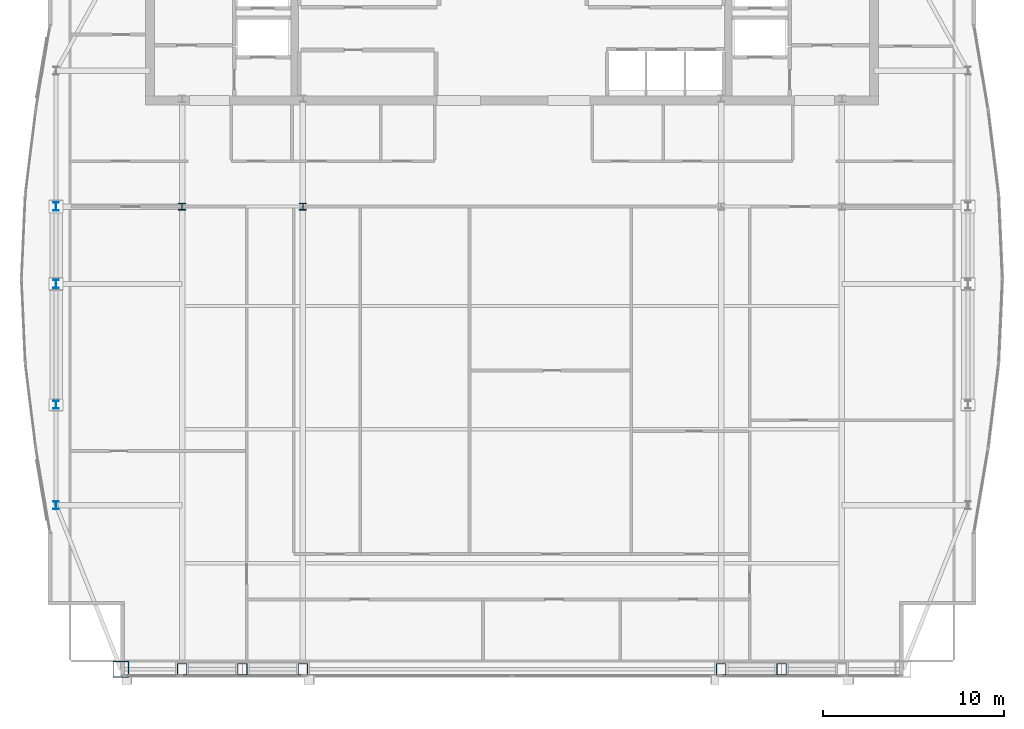
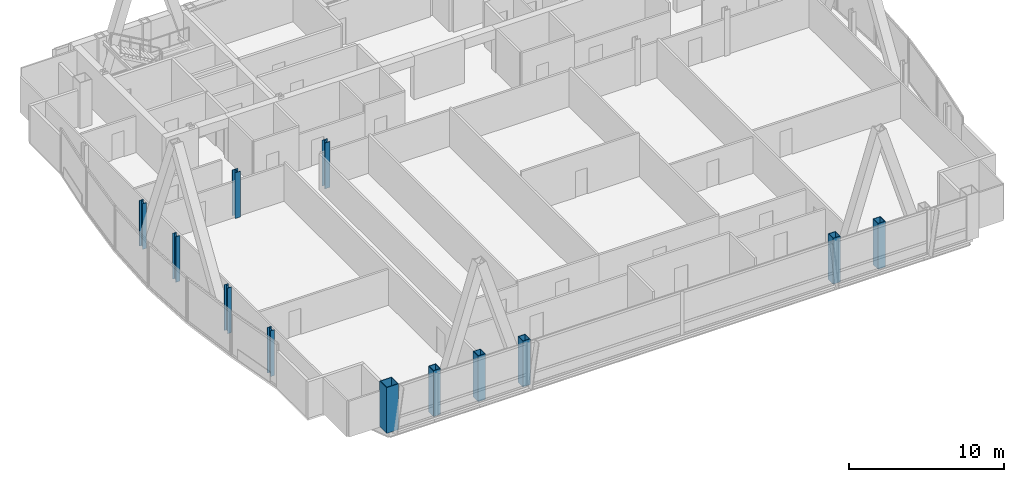
# One storey, part 1 of 29: 12 columns.
"""IFC4 building model written with IfcOpenShell, lengths in metres."""

from ifc_helpers import new_model, si_unit, direction, frame, origin, origin_2d, place, context, subcontext, project, spatial, hollow_rectangle, i_section, extrude, material, material_profile, profile_set, type_object, element, save


model = new_model("IFC4")

# Units and contexts
model_context = context("Model", 3, precision=1e-05, world=origin(), true_north=direction((0.0, 1.0)))
body_context = subcontext(model_context, "Body", "Model", "MODEL_VIEW")
ifc_project = project(units=[si_unit("LENGTHUNIT", "METRE"), si_unit("AREAUNIT", "SQUARE_METRE"), si_unit("VOLUMEUNIT", "CUBIC_METRE"), si_unit("PLANEANGLEUNIT", "RADIAN"), si_unit("MASSUNIT", "GRAM", prefix="KILO")], contexts=[model_context])

# Site, building, storey
site_placement = place(None, origin())
site = spatial("IfcSite", under=ifc_project, at=site_placement, CompositionType="ELEMENT")
building_placement = place(site_placement, origin())
building = spatial("IfcBuilding", under=site, at=building_placement, Name="Khoronbel Lancet Exchange", CompositionType="ELEMENT")
storey_placement = place(building_placement, frame((0.0, 0.0, 336.199951171875)))
storey = spatial("IfcBuildingStorey", under=building, at=storey_placement, Name="L87", CompositionType="ELEMENT", Elevation=336.199951171875)

# Columns
ifc_material_1 = material(Name="Steel S460", Category="steel")
ifc_material_profile_1 = material_profile(ifc_material_1, hollow_rectangle(XDim=0.550048828125, YDim=0.64990234375, WallThickness=0.0400390625, at=origin_2d()), Name="BOX 650x550x40")
ifc_profile_set_1 = profile_set([ifc_material_profile_1], Name="Steel S460")
column_type_1 = type_object("IfcColumnType", Name="COL-EC4", PredefinedType="COLUMN", material=ifc_profile_set_1)
for number, where, z_axis, x_axis, name in (
    (1, (18.22509765625, 10.14990234375, 0.0), (0.0, 0.0, 1.0), (1.0, 0.0, 0.0), "Structural column SC-W1 L87"),
    (2, (21.5625, 10.14990234375, 0.0), (0.0, 0.0, 1.0), (1.0, 0.0, 0.0), "Structural column SC-WM L87"),
    (3, (24.89990234375, 10.14990234375, 0.0), (0.0, 0.0, 1.0), (1.0, 0.0, 0.0), "Structural column SC-W2 L87"),
    (4, (48.0, 10.14990234375, 0.0), (0.0, 0.0, 1.0), (1.0, 0.0, 0.0), "Structural column SC-E1 L87"),
    (5, (51.33740234375, 10.14990234375, 0.0), (0.0, 0.0, 1.0), (1.0, 0.0, 0.0), "Structural column SC-EM L87"),
):
    element("IfcColumn", number, at=place(storey_placement, frame(where, z_axis=z_axis, x_axis=x_axis)), inside=storey, type_object=column_type_1, Name=name, PredefinedType="COLUMN", context=body_context, shape_type="SweptSolid", body=[
        extrude(hollow_rectangle(XDim=0.550048828125, YDim=0.64990234375, WallThickness=0.0400390625, at=origin_2d()), origin(), (0.0, 0.0, 1.0), 3.60009765625),
    ])
ifc_material_2 = material(Name="Steel S355", Category="steel")
ifc_material_profile_2 = material_profile(ifc_material_2, i_section(OverallWidth=0.39892578125, OverallDepth=0.39306640625, WebThickness=0.022705078125, FlangeThickness=0.03662109375, at=origin_2d()), Name="HD 400x287")
ifc_profile_set_2 = profile_set([ifc_material_profile_2], Name="Steel S355")
column_type_2 = type_object("IfcColumnType", Name="COL-IC4", PredefinedType="COLUMN", material=ifc_profile_set_2)
for number, where, z_axis, x_axis, name in (
    (6, (18.22509765625, 35.699951171875, 0.0), (0.0, 0.0, 1.0), (1.0, 0.0, 0.0), "Spine gravity column TC1 L87"),
    (7, (24.89990234375, 35.699951171875, 0.0), (0.0, 0.0, 1.0), (1.0, 0.0, 0.0), "Spine gravity column TC2 L87"),
):
    element("IfcColumn", number, at=place(storey_placement, frame(where, z_axis=z_axis, x_axis=x_axis)), inside=storey, type_object=column_type_2, Name=name, PredefinedType="COLUMN", context=body_context, shape_type="SweptSolid", body=[
        extrude(i_section(OverallWidth=0.39892578125, OverallDepth=0.39306640625, WebThickness=0.022705078125, FlangeThickness=0.03662109375, at=origin_2d()), origin(), (0.0, 0.0, 1.0), 3.60009765625),
    ])
ifc_material_profile_3 = material_profile(ifc_material_2, i_section(OverallWidth=0.300048828125, OverallDepth=0.449951171875, WebThickness=0.013916015625, FlangeThickness=0.02587890625, at=origin_2d()), Name="HEB 450")
ifc_profile_set_3 = profile_set([ifc_material_profile_3], Name="Steel S355")
column_type_3 = type_object("IfcColumnType", Name="COL-LC2", PredefinedType="COLUMN", material=ifc_profile_set_3)
for number, where, z_axis, x_axis, name in (
    (8, (11.27001953125, 19.199951171875, 0.0), (0.0, 0.0, 1.0), (1.0, 0.0, 0.0), "Structural column WC-1 L87"),
    (9, (11.27001953125, 24.75, 0.0), (0.0, 0.0, 1.0), (1.0, 0.0, 0.0), "Structural column WC-2 L87"),
    (10, (11.27001953125, 31.425048828125, 0.0), (0.0, 0.0, 1.0), (1.0, 0.0, 0.0), "Structural column WC-M L87"),
    (11, (11.27001953125, 35.699951171875, 0.0), (0.0, 0.0, 1.0), (1.0, 0.0, 0.0), "Structural column WC-3 L87"),
):
    element("IfcColumn", number, at=place(storey_placement, frame(where, z_axis=z_axis, x_axis=x_axis)), inside=storey, type_object=column_type_3, Name=name, PredefinedType="COLUMN", context=body_context, shape_type="SweptSolid", body=[
        extrude(i_section(OverallWidth=0.300048828125, OverallDepth=0.449951171875, WebThickness=0.013916015625, FlangeThickness=0.02587890625, at=origin_2d()), origin(), (0.0, 0.0, 1.0), 3.60009765625),
    ])
ifc_material_profile_4 = material_profile(ifc_material_1, hollow_rectangle(XDim=0.89990234375, YDim=0.89990234375, WallThickness=0.050048828125, at=origin_2d()), Name="BOX 900x900x50")
ifc_profile_set_4 = profile_set([ifc_material_profile_4], Name="Steel S460")
column_type_4 = type_object("IfcColumnType", Name="COL-MC7", PredefinedType="COLUMN", material=ifc_profile_set_4)
column_placement = place(storey_placement, frame((14.85009765625, 10.14990234375, 0.0), z_axis=(0.0, 0.0, 1.0), x_axis=(1.0, 0.0, 0.0)))
element("IfcColumn", 12, at=column_placement, inside=storey, type_object=column_type_4, Name="Structural column MC-SW L87", PredefinedType="COLUMN", context=body_context, shape_type="SweptSolid", body=[
    extrude(hollow_rectangle(XDim=0.89990234375, YDim=0.89990234375, WallThickness=0.050048828125, at=origin_2d()), origin(), (0.0, 0.0, 1.0), 3.60009765625),
])

save(model, "model.ifc")
